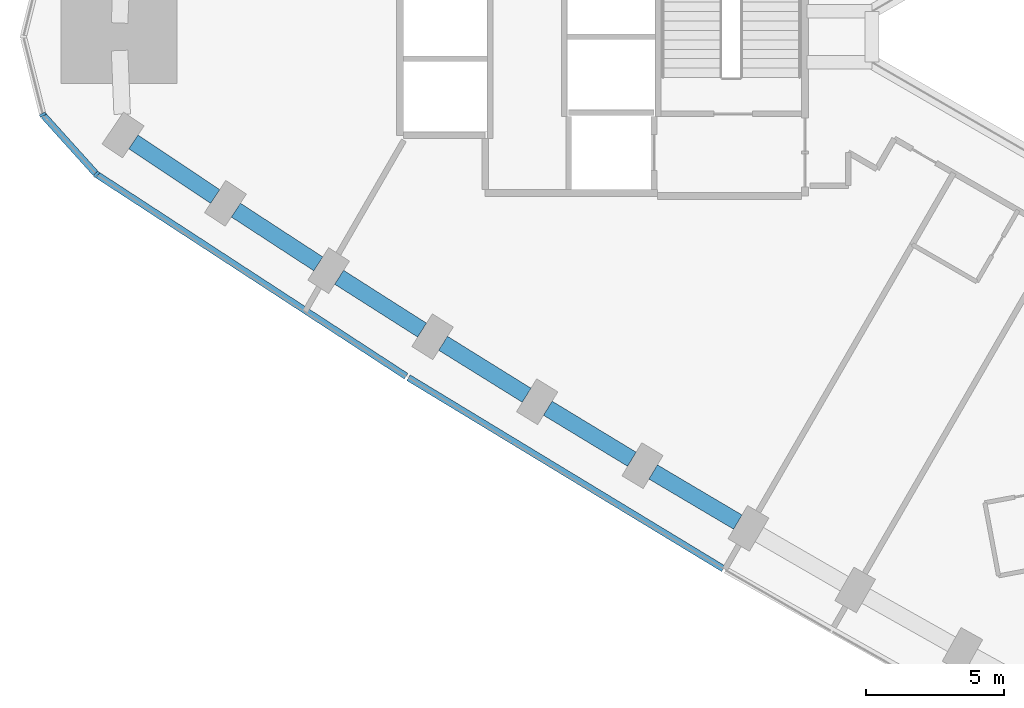
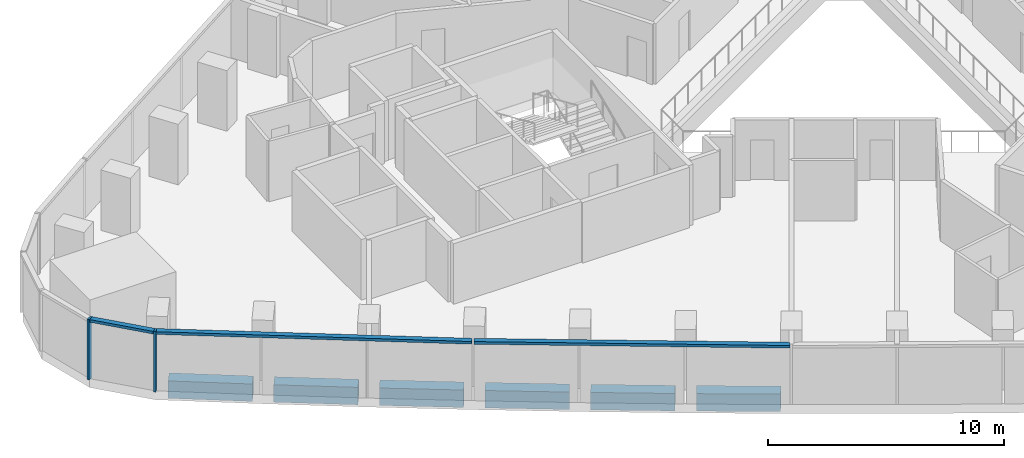
# One storey, part 2 of 13: 6 beams, 5 members, 2 elements without a shape of their own.
"""IFC4 building model written with IfcOpenShell, lengths in metres."""

from ifc_helpers import new_model, si_unit, direction, frame, origin, origin_2d, place, context, subcontext, project, spatial, rectangle, extrude, material, material_profile, profile_set, type_object, element, aggregate, save


model = new_model("IFC4")

# Units and contexts
model_context = context("Model", 3, precision=1e-05, world=origin(), true_north=direction((0.0, 1.0)))
body_context = subcontext(model_context, "Body", "Model", "MODEL_VIEW")
ifc_project = project(units=[si_unit("LENGTHUNIT", "METRE"), si_unit("AREAUNIT", "SQUARE_METRE"), si_unit("VOLUMEUNIT", "CUBIC_METRE"), si_unit("PLANEANGLEUNIT", "RADIAN"), si_unit("MASSUNIT", "GRAM", prefix="KILO")], contexts=[model_context])

# Site, building, storey
site_placement = place(None, origin())
site = spatial("IfcSite", under=ifc_project, at=site_placement, CompositionType="ELEMENT")
building_placement = place(site_placement, origin())
building = spatial("IfcBuilding", under=site, at=building_placement, Name="Tamra Quay Hotel Tower", CompositionType="ELEMENT")
storey_placement = place(building_placement, frame((0.0, 0.0, 38.60009765625)))
storey = spatial("IfcBuildingStorey", under=building, at=storey_placement, Name="L07", CompositionType="ELEMENT", Elevation=38.60009765625)

# Curtain wall, member
ifc_material_1 = material(Name="Aluminium 6063 anodised dark grey", Category="aluminium")
curtain_wall_type_1 = type_object("IfcCurtainWallType", Name="CW2 CURTAIN WALL", PredefinedType="NOTDEFINED", material=ifc_material_1)
curtain_wall_1_placement = place(storey_placement, origin())
curtain_wall_1 = element("IfcCurtainWall", 1, at=curtain_wall_1_placement, inside=storey, type_object=curtain_wall_type_1, Name="CW2 north-west face L07", PredefinedType="NOTDEFINED")
ifc_material_profile_1 = material_profile(ifc_material_1, rectangle(XDim=0.239990234375, YDim=0.10009765625, at=origin_2d()), Name="MULLION 100X240")
ifc_profile_set_1 = profile_set([ifc_material_profile_1], Name="Aluminium 6063 anodised dark grey")
member_type_1 = type_object("IfcMemberType", Name="MULLION CW2 Z1", PredefinedType="MULLION", material=ifc_profile_set_1)
member_1_placement = place(storey_placement, frame((-38.497802734375, -2.828125, 0.0), z_axis=(0.0, 0.0, 1.0), x_axis=(-0.882955345235, -0.469456982396, 0.0)))
member_1 = element("IfcMember", 2, at=member_1_placement, type_object=member_type_1, Name="CW2 mullion L07.NW.17", PredefinedType="MULLION", context=body_context, shape_type="SweptSolid", body=[
    extrude(rectangle(XDim=0.239990234375, YDim=0.10009765625, at=origin_2d()), origin(), (0.0, 0.0, 1.0), 3.125),
])

curtain_wall_type_2 = type_object("IfcCurtainWallType", Name="CW3 CURTAIN WALL", PredefinedType="NOTDEFINED", material=ifc_material_1)
curtain_wall_2_placement = place(storey_placement, origin())
curtain_wall_2 = element("IfcCurtainWall", 3, at=curtain_wall_2_placement, inside=storey, type_object=curtain_wall_type_2, Name="CW3 south-west face L07", PredefinedType="NOTDEFINED")
ifc_material_profile_2 = material_profile(ifc_material_1, rectangle(XDim=0.239990234375, YDim=0.10009765625, at=origin_2d()), Name="MULLION 100X240")
ifc_profile_set_2 = profile_set([ifc_material_profile_2], Name="Aluminium 6063 anodised dark grey")
member_type_2 = type_object("IfcMemberType", Name="MULLION CW3 Z1", PredefinedType="MULLION", material=ifc_profile_set_2)
member_2_placement = place(storey_placement, frame((-36.547607421875, -4.993896484375, 0.0), z_axis=(0.0, 0.0, 1.0), x_axis=(-0.654196774513, -0.756324388221, 0.0)))
member_2 = element("IfcMember", 4, at=member_2_placement, type_object=member_type_2, Name="CW3 mullion L07.SW.1", PredefinedType="MULLION", context=body_context, shape_type="SweptSolid", body=[
    extrude(rectangle(XDim=0.239990234375, YDim=0.10009765625, at=origin_2d()), origin(), (0.0, 0.0, 1.0), 3.125),
])

# Beams
ifc_material_2 = material(Name="Concrete M60", Category="concrete")
ifc_material_profile_3 = material_profile(ifc_material_2, rectangle(XDim=0.60009765625, YDim=0.89990234375, at=origin_2d()), Name="SPANDREL BEAM RC 600x900")
ifc_profile_set_3 = profile_set([ifc_material_profile_3], Name="Concrete M60")
beam_type = type_object("IfcBeamType", Name="SPANDREL BEAM RC 600x900", PredefinedType="SPANDREL", material=ifc_profile_set_3)
beam_1_placement = place(storey_placement, frame((-35.209228515625, -3.814697265625, -0.925048828125), z_axis=(0.831818807601, -0.555047269448, 0.0), x_axis=(0.555047269448, 0.831818807601, 0.0)))
element("IfcBeam", 5, at=beam_1_placement, inside=storey, type_object=beam_type, Name="BM-SP1-030-L07", PredefinedType="SPANDREL", context=body_context, shape_type="SweptSolid", body=[
    extrude(rectangle(XDim=0.60009765625, YDim=0.89990234375, at=origin_2d()), origin(), (0.0, 0.0, 1.0), 3.57080078125),
])
beam_2_placement = place(storey_placement, frame((-31.48779296875, -6.292236328125, -0.925048828125), z_axis=(0.837739819239, -0.546069588296, 0.0), x_axis=(0.546069588296, 0.837739819239, 0.0)))
element("IfcBeam", 6, at=beam_2_placement, inside=storey, type_object=beam_type, Name="BM-SP1-031-L07", PredefinedType="SPANDREL", context=body_context, shape_type="SweptSolid", body=[
    extrude(rectangle(XDim=0.60009765625, YDim=0.89990234375, at=origin_2d()), origin(), (0.0, 0.0, 1.0), 3.570068359375),
])
beam_3_placement = place(storey_placement, frame((-27.740478515625, -8.729248046875, -0.925048828125), z_axis=(0.843593906333, -0.53698167678, 0.0), x_axis=(0.53698167678, 0.843593906333, 0.0)))
element("IfcBeam", 7, at=beam_3_placement, inside=storey, type_object=beam_type, Name="BM-SP1-032-L07", PredefinedType="SPANDREL", context=body_context, shape_type="SweptSolid", body=[
    extrude(rectangle(XDim=0.60009765625, YDim=0.89990234375, at=origin_2d()), origin(), (0.0, 0.0, 1.0), 3.5703125),
])
beam_4_placement = place(storey_placement, frame((-23.966552734375, -11.125732421875, -0.925048828125), z_axis=(0.849320953317, -0.527876802158, 0.0), x_axis=(0.527876802158, 0.849320953317, 0.0)))
element("IfcBeam", 8, at=beam_4_placement, inside=storey, type_object=beam_type, Name="BM-SP1-033-L07", PredefinedType="SPANDREL", context=body_context, shape_type="SweptSolid", body=[
    extrude(rectangle(XDim=0.60009765625, YDim=0.89990234375, at=origin_2d()), origin(), (0.0, 0.0, 1.0), 3.570556640625),
])
beam_5_placement = place(storey_placement, frame((-20.1669921875, -13.4814453125, -0.925048828125), z_axis=(0.854966252085, -0.518683629775, 0.0), x_axis=(0.518683629775, 0.854966252085, 0.0)))
element("IfcBeam", 9, at=beam_5_placement, inside=storey, type_object=beam_type, Name="BM-SP1-034-L07", PredefinedType="SPANDREL", context=body_context, shape_type="SweptSolid", body=[
    extrude(rectangle(XDim=0.60009765625, YDim=0.89990234375, at=origin_2d()), origin(), (0.0, 0.0, 1.0), 3.56982421875),
])
beam_6_placement = place(storey_placement, frame((-16.3427734375, -15.79541015625, -0.925048828125), z_axis=(0.860524689034, -0.509408735264, 0.0), x_axis=(0.509408735264, 0.860524689034, 0.0)))
element("IfcBeam", 10, at=beam_6_placement, inside=storey, type_object=beam_type, Name="BM-SP1-035-L07", PredefinedType="SPANDREL", context=body_context, shape_type="SweptSolid", body=[
    extrude(rectangle(XDim=0.60009765625, YDim=0.89990234375, at=origin_2d()), origin(), (0.0, 0.0, 1.0), 3.570556640625),
])

# Member
ifc_material_profile_4 = material_profile(ifc_material_1, rectangle(XDim=0.239990234375, YDim=0.139892578125, at=origin_2d()), Name="TRANSOM 240X140")
ifc_profile_set_4 = profile_set([ifc_material_profile_4], Name="Aluminium 6063 anodised dark grey")
member_type_3 = type_object("IfcMemberType", Name="TRANSOM CW2 Z1", PredefinedType="USERDEFINED", material=ifc_profile_set_4)
member_3_placement = place(storey_placement, frame((-38.46435546875, -2.865234375, 3.054931640625), z_axis=(0.669142034262, -0.743134535588, 0.0), x_axis=(0.743134535588, 0.669142034262, 0.0)))
member_3 = element("IfcMember", 11, at=member_3_placement, type_object=member_type_3, Name="CW2 transom L07.NW.17", ObjectType="TRANSOM", PredefinedType="USERDEFINED", context=body_context, shape_type="SweptSolid", body=[
    extrude(rectangle(XDim=0.239990234375, YDim=0.139892578125, at=origin_2d()), origin(), (0.0, 0.0, 1.0), 2.814453125),
])

aggregate(curtain_wall_1, [member_1, member_3])

ifc_material_profile_5 = material_profile(ifc_material_1, rectangle(XDim=0.239990234375, YDim=0.139892578125, at=origin_2d()), Name="TRANSOM 240X140")
ifc_profile_set_5 = profile_set([ifc_material_profile_5], Name="Aluminium 6063 anodised dark grey")
member_type_4 = type_object("IfcMemberType", Name="TRANSOM CW3 Z1", PredefinedType="USERDEFINED", material=ifc_profile_set_5)
member_4_placement = place(storey_placement, frame((-36.506103515625, -5.021728515625, 3.054931640625), z_axis=(0.83773012635, -0.546084458126, 0.0), x_axis=(0.546084458126, 0.83773012635, 0.0)))
member_4 = element("IfcMember", 12, at=member_4_placement, type_object=member_type_4, Name="CW3 transom L07.SW.1", ObjectType="TRANSOM", PredefinedType="USERDEFINED", context=body_context, shape_type="SweptSolid", body=[
    extrude(rectangle(XDim=0.239990234375, YDim=0.139892578125, at=origin_2d()), origin(), (0.0, 0.0, 1.0), 13.3662109375),
])

member_5_placement = place(storey_placement, frame((-25.22412109375, -12.3740234375, 3.054931640625), z_axis=(0.854992910191, -0.518639685642, 0.0), x_axis=(0.518639685642, 0.854992910191, 0.0)))
member_5 = element("IfcMember", 13, at=member_5_placement, type_object=member_type_4, Name="CW3 transom L07.SW.4", ObjectType="TRANSOM", PredefinedType="USERDEFINED", context=body_context, shape_type="SweptSolid", body=[
    extrude(rectangle(XDim=0.239990234375, YDim=0.139892578125, at=origin_2d()), origin(), (0.0, 0.0, 1.0), 13.366455078125),
])

aggregate(curtain_wall_2, [member_2, member_4, member_5])

save(model, "model.ifc")
